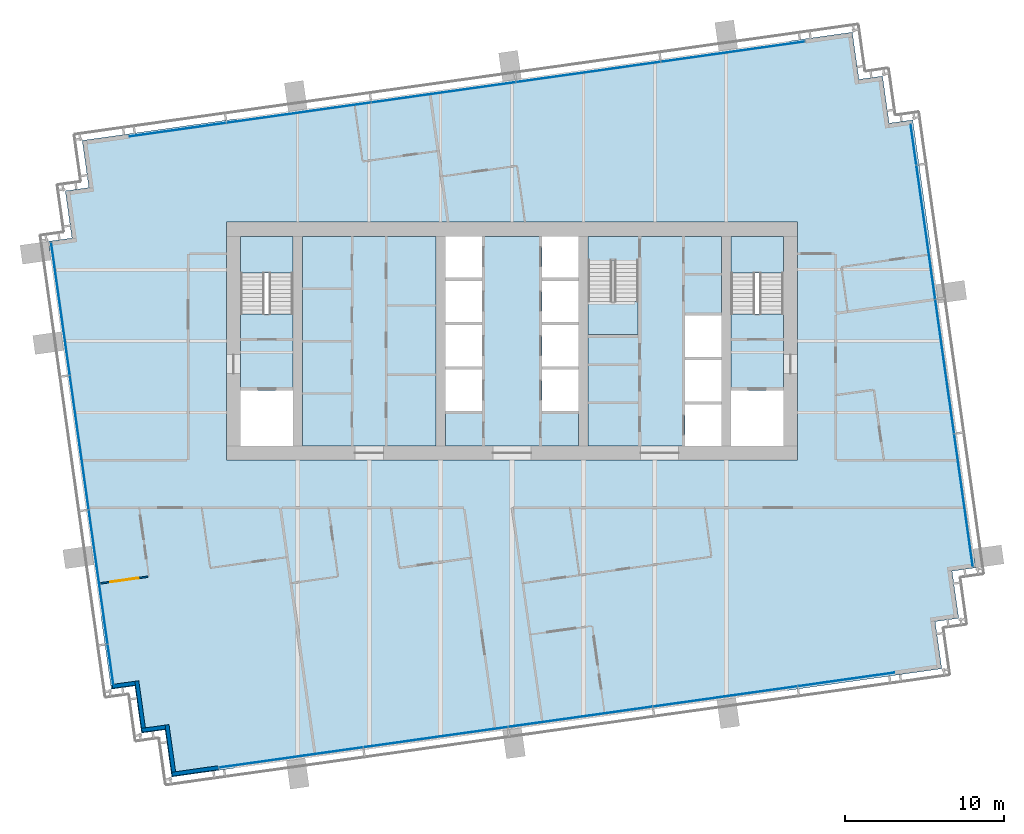
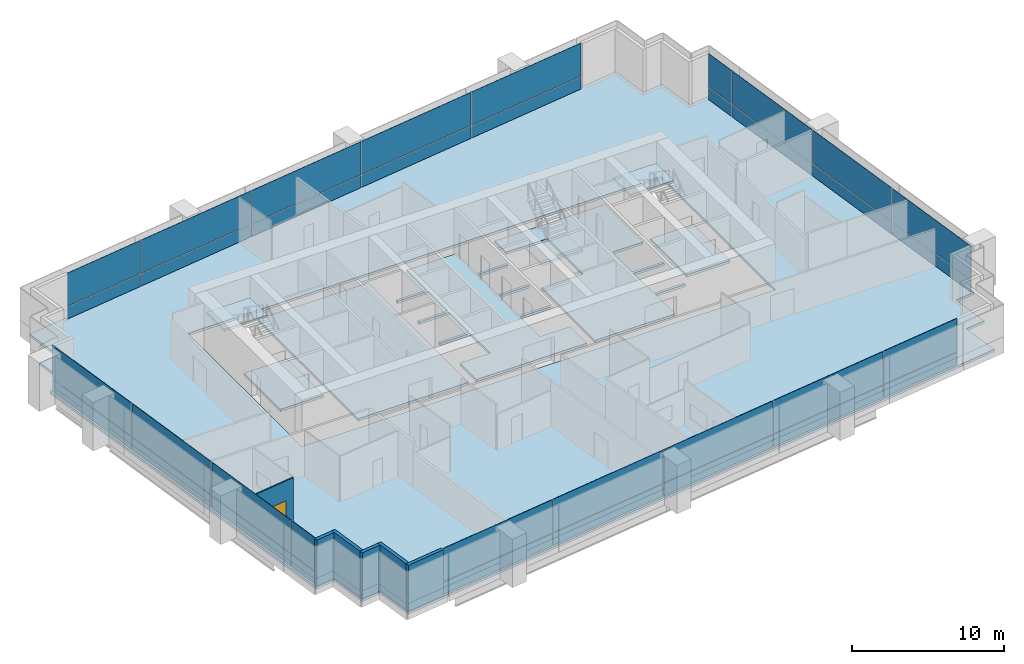
# One storey, part 8 of 18: 36 plates, 9 slabs, 6 walls, 1 window, 1 opening, 7 elements without a shape of their own.
"""IFC4 building model written with IfcOpenShell, lengths in metres."""

from ifc_helpers import new_model, si_unit, direction, frame, frame_2d, origin, origin_2d, place, context, subcontext, project, spatial, polyline, rectangle, outline, extrude, material, layer, layer_set, type_object, element, fill, aggregate, save


model = new_model("IFC4")

# Units and contexts
model_context = context("Model", 3, precision=1e-05, world=origin(), true_north=direction((0.0, 1.0)))
body_context = subcontext(model_context, "Body", "Model", "MODEL_VIEW")
ifc_project = project(units=[si_unit("LENGTHUNIT", "METRE"), si_unit("AREAUNIT", "SQUARE_METRE"), si_unit("VOLUMEUNIT", "CUBIC_METRE"), si_unit("PLANEANGLEUNIT", "RADIAN"), si_unit("MASSUNIT", "GRAM", prefix="KILO")], contexts=[model_context])

# Site, building, storey
site_placement = place(None, origin())
site = spatial("IfcSite", under=ifc_project, at=site_placement, CompositionType="ELEMENT")
building_placement = place(site_placement, origin())
building = spatial("IfcBuilding", under=site, at=building_placement, Name="Rattan Terrace Tower", CompositionType="ELEMENT")
storey_placement = place(building_placement, frame((0.0, 0.0, 176.300048828125)))
storey = spatial("IfcBuildingStorey", under=building, at=storey_placement, Name="L40", CompositionType="ELEMENT", Elevation=176.300048828125)

# Stair, slab
ifc_material_1 = material(Name="Concrete C40/50", Category="concrete")
stair_type = type_object("IfcStairType", Name="Core exit stair 1500", PredefinedType="HALF_TURN_STAIR", material=ifc_material_1)
stair_1_placement = place(storey_placement, origin())
stair_1 = element("IfcStair", 1, at=stair_1_placement, inside=storey, type_object=stair_type, Name="L40 exit stair 1", PredefinedType="HALF_TURN_STAIR")
ifc_material_2 = material(Name="Concrete C40/50", Category="concrete")
ifc_layer_1 = layer(ifc_material_2, 0.199951171875)
ifc_layer_set_1 = layer_set([ifc_layer_1], Name="Core exit stair landing")
slab_type_1 = type_object("IfcSlabType", Name="Core exit stair landing", PredefinedType="LANDING", material=ifc_layer_set_1)
slab_1_placement = place(storey_placement, frame((0.0, 0.0, 1.75)))
slab_1 = element("IfcSlab", 2, at=slab_1_placement, type_object=slab_type_1, Name="S1 landing 1", PredefinedType="LANDING", context=body_context, shape_type="SweptSolid", body=[
    extrude(outline(polyline([(-13.800048828125, 4.300048828125), (-13.800048828125, 6.60009765625), (-17.10009765625, 6.60009765625), (-17.10009765625, 4.300048828125), (-13.800048828125, 4.300048828125)])), origin(), (0.0, 0.0, 1.0), 0.199951171875),
])
aggregate(stair_1, [slab_1])

stair_2_placement = place(storey_placement, origin())
stair_2 = element("IfcStair", 3, at=stair_2_placement, inside=storey, type_object=stair_type, Name="L40 exit stair 2", PredefinedType="HALF_TURN_STAIR")
slab_2_placement = place(storey_placement, frame((0.0, 0.0, 1.75)))
slab_2 = element("IfcSlab", 4, at=slab_2_placement, type_object=slab_type_1, Name="S2 landing 1", PredefinedType="LANDING", context=body_context, shape_type="SweptSolid", body=[
    extrude(outline(polyline([(17.10009765625, 4.300048828125), (17.10009765625, 6.60009765625), (13.800048828125, 6.60009765625), (13.800048828125, 4.300048828125), (17.10009765625, 4.300048828125)])), origin(), (0.0, 0.0, 1.0), 0.199951171875),
])
aggregate(stair_2, [slab_2])

stair_3_placement = place(storey_placement, origin())
stair_3 = element("IfcStair", 5, at=stair_3_placement, inside=storey, type_object=stair_type, Name="L40 exit stair 3", PredefinedType="HALF_TURN_STAIR")
slab_3_placement = place(storey_placement, frame((0.0, 0.0, 1.75)))
slab_3 = element("IfcSlab", 6, at=slab_3_placement, type_object=slab_type_1, Name="S3 landing 1", PredefinedType="LANDING", context=body_context, shape_type="SweptSolid", body=[
    extrude(outline(polyline([(4.800048828125, 2.5), (4.800048828125, 0.39990234375), (7.949951171875, 0.39990234375), (7.949951171875, 2.5), (4.800048828125, 2.5)])), origin(), (0.0, 0.0, 1.0), 0.199951171875),
])
aggregate(stair_3, [slab_3])

# Curtain wall, plates
ifc_material_3 = material(Name="Aluminium and glass", Category="aluminium")
curtain_wall_type = type_object("IfcCurtainWallType", Name="Facade Unitised Curtain Wall", PredefinedType="NOTDEFINED", material=ifc_material_3)
curtain_wall_1_placement = place(storey_placement, origin())
curtain_wall_1 = element("IfcCurtainWall", 7, at=curtain_wall_1_placement, inside=storey, type_object=curtain_wall_type, Name="Curtain wall L40-1", PredefinedType="NOTDEFINED")
ifc_material_4 = material(Name="Aluminium insulated spandrel panel", Category="aluminium")
ifc_layer_2 = layer(ifc_material_4, 0.028076171875)
ifc_layer_set_2 = layer_set([ifc_layer_2], Name="Facade CW Spandrel Panel")
plate_type_1 = type_object("IfcPlateType", Name="Facade CW Spandrel Panel", PredefinedType="CURTAIN_PANEL", material=ifc_layer_set_2)
plate_1_placement = place(storey_placement, frame((28.447509765625, -10.037109375, 0.0), z_axis=(0.0, 0.0, 1.0), x_axis=(-0.139190856006, 0.99026557327, 0.0)))
plate_1 = element("IfcPlate", 8, at=plate_1_placement, type_object=plate_type_1, Name="Panel cwl-L40-001.1.1", PredefinedType="CURTAIN_PANEL", context=body_context, shape_type="SweptSolid", body=[
    extrude(rectangle(XDim=8.4150390625, YDim=0.028076171875, at=origin_2d()), origin(), (0.0, 0.0, 1.0), 0.969970703125),
])
plate_2_placement = place(storey_placement, frame((27.262451171875, -1.607421875, 0.0), z_axis=(0.0, 0.0, 1.0), x_axis=(-0.139190856006, 0.99026557327, 0.0)))
plate_2 = element("IfcPlate", 9, at=plate_2_placement, type_object=plate_type_1, Name="Panel cwl-L40-001.2.1", PredefinedType="CURTAIN_PANEL", context=body_context, shape_type="SweptSolid", body=[
    extrude(rectangle(XDim=8.489990234375, YDim=0.028076171875, at=origin_2d()), origin(), (0.0, 0.0, 1.0), 0.969970703125),
])
plate_3_placement = place(storey_placement, frame((26.072509765625, 6.859375, 0.0), z_axis=(0.0, 0.0, 1.0), x_axis=(-0.139190856006, 0.99026557327, 0.0)))
plate_3 = element("IfcPlate", 10, at=plate_3_placement, type_object=plate_type_1, Name="Panel cwl-L40-001.3.1", PredefinedType="CURTAIN_PANEL", context=body_context, shape_type="SweptSolid", body=[
    extrude(rectangle(XDim=8.489990234375, YDim=0.028076171875, at=origin_2d()), origin(), (0.0, 0.0, 1.0), 0.969970703125),
])
plate_4_placement = place(storey_placement, frame((25.29736328125, 12.372802734375, 0.0), z_axis=(0.0, 0.0, 1.0), x_axis=(-0.139190856006, 0.99026557327, 0.0)))
plate_4 = element("IfcPlate", 11, at=plate_4_placement, type_object=plate_type_1, Name="Panel cwl-L40-001.4.1", PredefinedType="CURTAIN_PANEL", context=body_context, shape_type="SweptSolid", body=[
    extrude(rectangle(XDim=2.525390625, YDim=0.028076171875, at=origin_2d()), origin(), (0.0, 0.0, 1.0), 0.969970703125),
])

curtain_wall_2_placement = place(storey_placement, origin())
curtain_wall_2 = element("IfcCurtainWall", 12, at=curtain_wall_2_placement, inside=storey, type_object=curtain_wall_type, Name="Curtain wall L40-2", PredefinedType="NOTDEFINED")
plate_5_placement = place(storey_placement, frame((13.920166015625, 18.233642578125, 0.0), z_axis=(0.0, 0.0, 1.0), x_axis=(-0.990269702686, -0.139161474347, 0.0)))
plate_5 = element("IfcPlate", 13, at=plate_5_placement, type_object=plate_type_1, Name="Panel cwl-L40-002.1.1", PredefinedType="CURTAIN_PANEL", context=body_context, shape_type="SweptSolid", body=[
    extrude(rectangle(XDim=9.123046875, YDim=0.028076171875, at=origin_2d()), origin(), (0.0, 0.0, 1.0), 0.969970703125),
])
plate_6_placement = place(storey_placement, frame((4.8115234375, 16.95361328125, 0.0), z_axis=(0.0, 0.0, 1.0), x_axis=(-0.990269702686, -0.139161474347, 0.0)))
plate_6 = element("IfcPlate", 14, at=plate_6_placement, type_object=plate_type_1, Name="Panel cwl-L40-002.2.1", PredefinedType="CURTAIN_PANEL", context=body_context, shape_type="SweptSolid", body=[
    extrude(rectangle(XDim=9.153076171875, YDim=0.028076171875, at=origin_2d()), origin(), (0.0, 0.0, 1.0), 0.969970703125),
])
plate_7_placement = place(storey_placement, frame((-4.311767578125, 15.67138671875, 0.0), z_axis=(0.0, 0.0, 1.0), x_axis=(-0.990269702686, -0.139161474347, 0.0)))
plate_7 = element("IfcPlate", 15, at=plate_7_placement, type_object=plate_type_1, Name="Panel cwl-L40-002.3.1", PredefinedType="CURTAIN_PANEL", context=body_context, shape_type="SweptSolid", body=[
    extrude(rectangle(XDim=9.153076171875, YDim=0.028076171875, at=origin_2d()), origin(), (0.0, 0.0, 1.0), 0.969970703125),
])
plate_8_placement = place(storey_placement, frame((-13.43505859375, 14.389404296875, 0.0), z_axis=(0.0, 0.0, 1.0), x_axis=(-0.990269702686, -0.139161474347, 0.0)))
plate_8 = element("IfcPlate", 16, at=plate_8_placement, type_object=plate_type_1, Name="Panel cwl-L40-002.4.1", PredefinedType="CURTAIN_PANEL", context=body_context, shape_type="SweptSolid", body=[
    extrude(rectangle(XDim=9.153076171875, YDim=0.028076171875, at=origin_2d()), origin(), (0.0, 0.0, 1.0), 0.969970703125),
])
plate_9_placement = place(storey_placement, frame((-21.055908203125, 13.318359375, 0.0), z_axis=(0.0, 0.0, 1.0), x_axis=(-0.990269702686, -0.139161474347, 0.0)))
plate_9 = element("IfcPlate", 17, at=plate_9_placement, type_object=plate_type_1, Name="Panel cwl-L40-002.5.1", PredefinedType="CURTAIN_PANEL", context=body_context, shape_type="SweptSolid", body=[
    extrude(rectangle(XDim=6.118408203125, YDim=0.028076171875, at=origin_2d()), origin(), (0.0, 0.0, 1.0), 0.969970703125),
])

curtain_wall_3_placement = place(storey_placement, origin())
curtain_wall_3 = element("IfcCurtainWall", 18, at=curtain_wall_3_placement, inside=storey, type_object=curtain_wall_type, Name="Curtain wall L40-3", PredefinedType="NOTDEFINED")
plate_10_placement = place(storey_placement, frame((-28.447509765625, 2.037109375, 0.0), z_axis=(0.0, 0.0, 1.0), x_axis=(0.139190856006, -0.99026557327, 0.0)))
plate_10 = element("IfcPlate", 19, at=plate_10_placement, type_object=plate_type_1, Name="Panel cwl-L40-003.1.1", PredefinedType="CURTAIN_PANEL", context=body_context, shape_type="SweptSolid", body=[
    extrude(rectangle(XDim=8.4150390625, YDim=0.028076171875, at=origin_2d()), origin(), (0.0, 0.0, 1.0), 0.969970703125),
])
plate_11_placement = place(storey_placement, frame((-27.262451171875, -6.392578125, 0.0), z_axis=(0.0, 0.0, 1.0), x_axis=(0.139190856006, -0.99026557327, 0.0)))
plate_11 = element("IfcPlate", 20, at=plate_11_placement, type_object=plate_type_1, Name="Panel cwl-L40-003.2.1", PredefinedType="CURTAIN_PANEL", context=body_context, shape_type="SweptSolid", body=[
    extrude(rectangle(XDim=8.489990234375, YDim=0.028076171875, at=origin_2d()), origin(), (0.0, 0.0, 1.0), 0.969970703125),
])
plate_12_placement = place(storey_placement, frame((-26.072509765625, -14.859375, 0.0), z_axis=(0.0, 0.0, 1.0), x_axis=(0.139190856006, -0.99026557327, 0.0)))
plate_12 = element("IfcPlate", 21, at=plate_12_placement, type_object=plate_type_1, Name="Panel cwl-L40-003.3.1", PredefinedType="CURTAIN_PANEL", context=body_context, shape_type="SweptSolid", body=[
    extrude(rectangle(XDim=8.489990234375, YDim=0.028076171875, at=origin_2d()), origin(), (0.0, 0.0, 1.0), 0.969970703125),
])
plate_13_placement = place(storey_placement, frame((-25.29736328125, -20.372802734375, 0.0), z_axis=(0.0, 0.0, 1.0), x_axis=(0.139190856006, -0.99026557327, 0.0)))
plate_13 = element("IfcPlate", 22, at=plate_13_placement, type_object=plate_type_1, Name="Panel cwl-L40-003.4.1", PredefinedType="CURTAIN_PANEL", context=body_context, shape_type="SweptSolid", body=[
    extrude(rectangle(XDim=2.525390625, YDim=0.028076171875, at=origin_2d()), origin(), (0.0, 0.0, 1.0), 0.969970703125),
])

curtain_wall_4_placement = place(storey_placement, origin())
curtain_wall_4 = element("IfcCurtainWall", 23, at=curtain_wall_4_placement, inside=storey, type_object=curtain_wall_type, Name="Curtain wall L40-4", PredefinedType="NOTDEFINED")
plate_14_placement = place(storey_placement, frame((-13.920166015625, -26.233642578125, 0.0), z_axis=(0.0, 0.0, 1.0), x_axis=(0.990269702686, 0.139161474347, 0.0)))
plate_14 = element("IfcPlate", 24, at=plate_14_placement, type_object=plate_type_1, Name="Panel cwl-L40-004.1.1", PredefinedType="CURTAIN_PANEL", context=body_context, shape_type="SweptSolid", body=[
    extrude(rectangle(XDim=9.123046875, YDim=0.028076171875, at=origin_2d()), origin(), (0.0, 0.0, 1.0), 0.969970703125),
])
plate_15_placement = place(storey_placement, frame((-4.8115234375, -24.95361328125, 0.0), z_axis=(0.0, 0.0, 1.0), x_axis=(0.990269702686, 0.139161474347, 0.0)))
plate_15 = element("IfcPlate", 25, at=plate_15_placement, type_object=plate_type_1, Name="Panel cwl-L40-004.2.1", PredefinedType="CURTAIN_PANEL", context=body_context, shape_type="SweptSolid", body=[
    extrude(rectangle(XDim=9.153076171875, YDim=0.028076171875, at=origin_2d()), origin(), (0.0, 0.0, 1.0), 0.969970703125),
])
plate_16_placement = place(storey_placement, frame((4.311767578125, -23.67138671875, 0.0), z_axis=(0.0, 0.0, 1.0), x_axis=(0.990269702686, 0.139161474347, 0.0)))
plate_16 = element("IfcPlate", 26, at=plate_16_placement, type_object=plate_type_1, Name="Panel cwl-L40-004.3.1", PredefinedType="CURTAIN_PANEL", context=body_context, shape_type="SweptSolid", body=[
    extrude(rectangle(XDim=9.153076171875, YDim=0.028076171875, at=origin_2d()), origin(), (0.0, 0.0, 1.0), 0.969970703125),
])
plate_17_placement = place(storey_placement, frame((13.43505859375, -22.389404296875, 0.0), z_axis=(0.0, 0.0, 1.0), x_axis=(0.990269702686, 0.139161474347, 0.0)))
plate_17 = element("IfcPlate", 27, at=plate_17_placement, type_object=plate_type_1, Name="Panel cwl-L40-004.4.1", PredefinedType="CURTAIN_PANEL", context=body_context, shape_type="SweptSolid", body=[
    extrude(rectangle(XDim=9.153076171875, YDim=0.028076171875, at=origin_2d()), origin(), (0.0, 0.0, 1.0), 0.969970703125),
])
plate_18_placement = place(storey_placement, frame((21.055908203125, -21.318359375, 0.0), z_axis=(0.0, 0.0, 1.0), x_axis=(0.990269702686, 0.139161474347, 0.0)))
plate_18 = element("IfcPlate", 28, at=plate_18_placement, type_object=plate_type_1, Name="Panel cwl-L40-004.5.1", PredefinedType="CURTAIN_PANEL", context=body_context, shape_type="SweptSolid", body=[
    extrude(rectangle(XDim=6.118408203125, YDim=0.028076171875, at=origin_2d()), origin(), (0.0, 0.0, 1.0), 0.969970703125),
])

# Plate
ifc_material_5 = material(Name="Clear low-iron glass", Category="glass")
ifc_layer_3 = layer(ifc_material_5, 0.028076171875)
ifc_layer_set_3 = layer_set([ifc_layer_3], Name="Facade CW Vision Panel")
plate_type_2 = type_object("IfcPlateType", Name="Facade CW Vision Panel", PredefinedType="CURTAIN_PANEL", material=ifc_layer_set_3)
plate_19_placement = place(storey_placement, frame((28.447509765625, -10.037109375, 1.030029296875), z_axis=(0.0, 0.0, 1.0), x_axis=(-0.139190856006, 0.99026557327, 0.0)))
plate_19 = element("IfcPlate", 29, at=plate_19_placement, type_object=plate_type_2, Name="Panel cwl-L40-001.1.2", PredefinedType="CURTAIN_PANEL", context=body_context, shape_type="SweptSolid", body=[
    extrude(rectangle(XDim=8.4150390625, YDim=0.028076171875, at=origin_2d()), origin(), (0.0, 0.0, 1.0), 2.669921875),
])

plate_20_placement = place(storey_placement, frame((27.262451171875, -1.607421875, 1.030029296875), z_axis=(0.0, 0.0, 1.0), x_axis=(-0.139190856006, 0.99026557327, 0.0)))
plate_20 = element("IfcPlate", 30, at=plate_20_placement, type_object=plate_type_2, Name="Panel cwl-L40-001.2.2", PredefinedType="CURTAIN_PANEL", context=body_context, shape_type="SweptSolid", body=[
    extrude(rectangle(XDim=8.489990234375, YDim=0.028076171875, at=origin_2d()), origin(), (0.0, 0.0, 1.0), 2.669921875),
])

plate_21_placement = place(storey_placement, frame((26.072509765625, 6.859375, 1.030029296875), z_axis=(0.0, 0.0, 1.0), x_axis=(-0.139190856006, 0.99026557327, 0.0)))
plate_21 = element("IfcPlate", 31, at=plate_21_placement, type_object=plate_type_2, Name="Panel cwl-L40-001.3.2", PredefinedType="CURTAIN_PANEL", context=body_context, shape_type="SweptSolid", body=[
    extrude(rectangle(XDim=8.489990234375, YDim=0.028076171875, at=origin_2d()), origin(), (0.0, 0.0, 1.0), 2.669921875),
])

plate_22_placement = place(storey_placement, frame((25.29736328125, 12.372802734375, 1.030029296875), z_axis=(0.0, 0.0, 1.0), x_axis=(-0.139190856006, 0.99026557327, 0.0)))
plate_22 = element("IfcPlate", 32, at=plate_22_placement, type_object=plate_type_2, Name="Panel cwl-L40-001.4.2", PredefinedType="CURTAIN_PANEL", context=body_context, shape_type="SweptSolid", body=[
    extrude(rectangle(XDim=2.525390625, YDim=0.028076171875, at=origin_2d()), origin(), (0.0, 0.0, 1.0), 2.669921875),
])

aggregate(curtain_wall_1, [plate_1, plate_19, plate_2, plate_20, plate_3, plate_21, plate_4, plate_22])

plate_23_placement = place(storey_placement, frame((13.920166015625, 18.233642578125, 1.030029296875), z_axis=(0.0, 0.0, 1.0), x_axis=(-0.990269702686, -0.139161474347, 0.0)))
plate_23 = element("IfcPlate", 33, at=plate_23_placement, type_object=plate_type_2, Name="Panel cwl-L40-002.1.2", PredefinedType="CURTAIN_PANEL", context=body_context, shape_type="SweptSolid", body=[
    extrude(rectangle(XDim=9.123046875, YDim=0.028076171875, at=origin_2d()), origin(), (0.0, 0.0, 1.0), 2.669921875),
])

plate_24_placement = place(storey_placement, frame((4.8115234375, 16.95361328125, 1.030029296875), z_axis=(0.0, 0.0, 1.0), x_axis=(-0.990269702686, -0.139161474347, 0.0)))
plate_24 = element("IfcPlate", 34, at=plate_24_placement, type_object=plate_type_2, Name="Panel cwl-L40-002.2.2", PredefinedType="CURTAIN_PANEL", context=body_context, shape_type="SweptSolid", body=[
    extrude(rectangle(XDim=9.153076171875, YDim=0.028076171875, at=origin_2d()), origin(), (0.0, 0.0, 1.0), 2.669921875),
])

plate_25_placement = place(storey_placement, frame((-4.311767578125, 15.67138671875, 1.030029296875), z_axis=(0.0, 0.0, 1.0), x_axis=(-0.990269702686, -0.139161474347, 0.0)))
plate_25 = element("IfcPlate", 35, at=plate_25_placement, type_object=plate_type_2, Name="Panel cwl-L40-002.3.2", PredefinedType="CURTAIN_PANEL", context=body_context, shape_type="SweptSolid", body=[
    extrude(rectangle(XDim=9.153076171875, YDim=0.028076171875, at=origin_2d()), origin(), (0.0, 0.0, 1.0), 2.669921875),
])

plate_26_placement = place(storey_placement, frame((-13.43505859375, 14.389404296875, 1.030029296875), z_axis=(0.0, 0.0, 1.0), x_axis=(-0.990269702686, -0.139161474347, 0.0)))
plate_26 = element("IfcPlate", 36, at=plate_26_placement, type_object=plate_type_2, Name="Panel cwl-L40-002.4.2", PredefinedType="CURTAIN_PANEL", context=body_context, shape_type="SweptSolid", body=[
    extrude(rectangle(XDim=9.153076171875, YDim=0.028076171875, at=origin_2d()), origin(), (0.0, 0.0, 1.0), 2.669921875),
])

plate_27_placement = place(storey_placement, frame((-21.055908203125, 13.318359375, 1.030029296875), z_axis=(0.0, 0.0, 1.0), x_axis=(-0.990269702686, -0.139161474347, 0.0)))
plate_27 = element("IfcPlate", 37, at=plate_27_placement, type_object=plate_type_2, Name="Panel cwl-L40-002.5.2", PredefinedType="CURTAIN_PANEL", context=body_context, shape_type="SweptSolid", body=[
    extrude(rectangle(XDim=6.118408203125, YDim=0.028076171875, at=origin_2d()), origin(), (0.0, 0.0, 1.0), 2.669921875),
])

aggregate(curtain_wall_2, [plate_5, plate_23, plate_6, plate_24, plate_7, plate_25, plate_8, plate_26, plate_9, plate_27])

plate_28_placement = place(storey_placement, frame((-28.447509765625, 2.037109375, 1.030029296875), z_axis=(0.0, 0.0, 1.0), x_axis=(0.139190856006, -0.99026557327, 0.0)))
plate_28 = element("IfcPlate", 38, at=plate_28_placement, type_object=plate_type_2, Name="Panel cwl-L40-003.1.2", PredefinedType="CURTAIN_PANEL", context=body_context, shape_type="SweptSolid", body=[
    extrude(rectangle(XDim=8.4150390625, YDim=0.028076171875, at=origin_2d()), origin(), (0.0, 0.0, 1.0), 2.669921875),
])

plate_29_placement = place(storey_placement, frame((-27.262451171875, -6.392578125, 1.030029296875), z_axis=(0.0, 0.0, 1.0), x_axis=(0.139190856006, -0.99026557327, 0.0)))
plate_29 = element("IfcPlate", 39, at=plate_29_placement, type_object=plate_type_2, Name="Panel cwl-L40-003.2.2", PredefinedType="CURTAIN_PANEL", context=body_context, shape_type="SweptSolid", body=[
    extrude(rectangle(XDim=8.489990234375, YDim=0.028076171875, at=origin_2d()), origin(), (0.0, 0.0, 1.0), 2.669921875),
])

plate_30_placement = place(storey_placement, frame((-26.072509765625, -14.859375, 1.030029296875), z_axis=(0.0, 0.0, 1.0), x_axis=(0.139190856006, -0.99026557327, 0.0)))
plate_30 = element("IfcPlate", 40, at=plate_30_placement, type_object=plate_type_2, Name="Panel cwl-L40-003.3.2", PredefinedType="CURTAIN_PANEL", context=body_context, shape_type="SweptSolid", body=[
    extrude(rectangle(XDim=8.489990234375, YDim=0.028076171875, at=origin_2d()), origin(), (0.0, 0.0, 1.0), 2.669921875),
])

plate_31_placement = place(storey_placement, frame((-25.29736328125, -20.372802734375, 1.030029296875), z_axis=(0.0, 0.0, 1.0), x_axis=(0.139190856006, -0.99026557327, 0.0)))
plate_31 = element("IfcPlate", 41, at=plate_31_placement, type_object=plate_type_2, Name="Panel cwl-L40-003.4.2", PredefinedType="CURTAIN_PANEL", context=body_context, shape_type="SweptSolid", body=[
    extrude(rectangle(XDim=2.525390625, YDim=0.028076171875, at=origin_2d()), origin(), (0.0, 0.0, 1.0), 2.669921875),
])

aggregate(curtain_wall_3, [plate_10, plate_28, plate_11, plate_29, plate_12, plate_30, plate_13, plate_31])

plate_32_placement = place(storey_placement, frame((-13.920166015625, -26.233642578125, 1.030029296875), z_axis=(0.0, 0.0, 1.0), x_axis=(0.990269702686, 0.139161474347, 0.0)))
plate_32 = element("IfcPlate", 42, at=plate_32_placement, type_object=plate_type_2, Name="Panel cwl-L40-004.1.2", PredefinedType="CURTAIN_PANEL", context=body_context, shape_type="SweptSolid", body=[
    extrude(rectangle(XDim=9.123046875, YDim=0.028076171875, at=origin_2d()), origin(), (0.0, 0.0, 1.0), 2.669921875),
])

plate_33_placement = place(storey_placement, frame((-4.8115234375, -24.95361328125, 1.030029296875), z_axis=(0.0, 0.0, 1.0), x_axis=(0.990269702686, 0.139161474347, 0.0)))
plate_33 = element("IfcPlate", 43, at=plate_33_placement, type_object=plate_type_2, Name="Panel cwl-L40-004.2.2", PredefinedType="CURTAIN_PANEL", context=body_context, shape_type="SweptSolid", body=[
    extrude(rectangle(XDim=9.153076171875, YDim=0.028076171875, at=origin_2d()), origin(), (0.0, 0.0, 1.0), 2.669921875),
])

plate_34_placement = place(storey_placement, frame((4.311767578125, -23.67138671875, 1.030029296875), z_axis=(0.0, 0.0, 1.0), x_axis=(0.990269702686, 0.139161474347, 0.0)))
plate_34 = element("IfcPlate", 44, at=plate_34_placement, type_object=plate_type_2, Name="Panel cwl-L40-004.3.2", PredefinedType="CURTAIN_PANEL", context=body_context, shape_type="SweptSolid", body=[
    extrude(rectangle(XDim=9.153076171875, YDim=0.028076171875, at=origin_2d()), origin(), (0.0, 0.0, 1.0), 2.669921875),
])

plate_35_placement = place(storey_placement, frame((13.43505859375, -22.389404296875, 1.030029296875), z_axis=(0.0, 0.0, 1.0), x_axis=(0.990269702686, 0.139161474347, 0.0)))
plate_35 = element("IfcPlate", 45, at=plate_35_placement, type_object=plate_type_2, Name="Panel cwl-L40-004.4.2", PredefinedType="CURTAIN_PANEL", context=body_context, shape_type="SweptSolid", body=[
    extrude(rectangle(XDim=9.153076171875, YDim=0.028076171875, at=origin_2d()), origin(), (0.0, 0.0, 1.0), 2.669921875),
])

plate_36_placement = place(storey_placement, frame((21.055908203125, -21.318359375, 1.030029296875), z_axis=(0.0, 0.0, 1.0), x_axis=(0.990269702686, 0.139161474347, 0.0)))
plate_36 = element("IfcPlate", 46, at=plate_36_placement, type_object=plate_type_2, Name="Panel cwl-L40-004.5.2", PredefinedType="CURTAIN_PANEL", context=body_context, shape_type="SweptSolid", body=[
    extrude(rectangle(XDim=6.118408203125, YDim=0.028076171875, at=origin_2d()), origin(), (0.0, 0.0, 1.0), 2.669921875),
])

aggregate(curtain_wall_4, [plate_14, plate_32, plate_15, plate_33, plate_16, plate_34, plate_17, plate_35, plate_18, plate_36])

# Slabs
ifc_material_6 = material(Name="Concrete C35/45", Category="concrete")
ifc_layer_4 = layer(ifc_material_6, 0.199951171875)
ifc_layer_set_4 = layer_set([ifc_layer_4], Name="Frame composite floor slab 200")
slab_type_2 = type_object("IfcSlabType", Name="Frame composite floor slab 200", PredefinedType="FLOOR", material=ifc_layer_set_4)
slab_4_placement = place(storey_placement, frame((0.0, 0.0, -0.199951171875)))
element("IfcSlab", 47, at=slab_4_placement, inside=storey, type_object=slab_type_2, Name="Floor slab", PredefinedType="FLOOR", context=body_context, shape_type="SweptSolid", body=[
    extrude(outline(polyline([(-18.472900390625, -27.044921875), (24.10888671875, -21.06103515625), (27.080078125, -20.64306640625), (26.662109375, -17.672119140625), (28.14794921875, -17.464111328125), (27.72998046875, -14.492919921875), (29.216064453125, -14.283935546875), (25.2490234375, 13.93896484375), (23.763916015625, 13.72998046875), (23.345947265625, 16.700927734375), (21.861083984375, 16.491943359375), (21.443115234375, 19.462890625), (18.472900390625, 19.044921875), (-24.10888671875, 13.06103515625), (-27.080078125, 12.64306640625), (-26.662109375, 9.672119140625), (-28.14794921875, 9.464111328125), (-27.72998046875, 6.492919921875), (-29.216064453125, 6.283935546875), (-25.2490234375, -21.93896484375), (-23.763916015625, -21.72998046875), (-23.345947265625, -24.700927734375), (-21.861083984375, -24.491943359375), (-21.443115234375, -27.462890625), (-18.472900390625, -27.044921875)]), holes=[polyline([(-18.0, -7.5), (18.0, -7.5), (18.0, -6.60009765625), (18.0, 6.60009765625), (18.0, 7.5), (-18.0, 7.5), (-18.0, 6.60009765625), (-18.0, -6.60009765625), (-18.0, -7.5)])]), origin(), (0.0, 0.0, 1.0), 0.199951171875),
])
slab_5_placement = place(storey_placement, frame((0.0, 0.0, -0.199951171875)))
element("IfcSlab", 48, at=slab_5_placement, inside=storey, type_object=slab_type_2, Name="Floor slab", PredefinedType="FLOOR", context=body_context, shape_type="SweptSolid", body=[
    extrude(outline(polyline([(13.199951171875, 6.60009765625), (4.800048828125, 6.60009765625), (4.800048828125, 5.090087890625), (7.949951171875, 5.090087890625), (7.949951171875, 0.39990234375), (4.800048828125, 0.39990234375), (4.800048828125, -6.60009765625), (10.89990234375, -6.60009765625), (10.89990234375, -4.0), (13.199951171875, -4.0), (13.199951171875, -3.800048828125), (10.89990234375, -3.800048828125), (10.89990234375, -1.199951171875), (13.199951171875, -1.199951171875), (13.199951171875, -1.0), (10.89990234375, -1.0), (10.89990234375, 1.60009765625), (13.199951171875, 1.60009765625), (13.199951171875, 6.60009765625)])), origin(), (0.0, 0.0, 1.0), 0.199951171875),
])
slab_6_placement = place(storey_placement, frame((0.0, 0.0, -0.199951171875)))
element("IfcSlab", 49, at=slab_6_placement, inside=storey, type_object=slab_type_2, Name="Floor slab", PredefinedType="FLOOR", context=body_context, shape_type="SweptSolid", body=[
    extrude(outline(polyline([(1.89990234375, 6.60009765625), (-1.89990234375, 6.60009765625), (-1.89990234375, 4.0), (-4.199951171875, 4.0), (-4.199951171875, 3.800048828125), (-1.89990234375, 3.800048828125), (-1.89990234375, 1.199951171875), (-4.199951171875, 1.199951171875), (-4.199951171875, 1.0), (-1.89990234375, 1.0), (-1.89990234375, -1.60009765625), (-4.199951171875, -1.60009765625), (-4.199951171875, -1.800048828125), (-1.89990234375, -1.800048828125), (-1.89990234375, -4.39990234375), (-4.199951171875, -4.39990234375), (-4.199951171875, -6.60009765625), (4.199951171875, -6.60009765625), (4.199951171875, -4.39990234375), (1.89990234375, -4.39990234375), (1.89990234375, -1.800048828125), (4.199951171875, -1.800048828125), (4.199951171875, -1.60009765625), (1.89990234375, -1.60009765625), (1.89990234375, 1.0), (4.199951171875, 1.0), (4.199951171875, 1.199951171875), (1.89990234375, 1.199951171875), (1.89990234375, 3.800048828125), (4.199951171875, 3.800048828125), (4.199951171875, 4.0), (1.89990234375, 4.0), (1.89990234375, 6.60009765625)])), origin(), (0.0, 0.0, 1.0), 0.199951171875),
])
slab_7_placement = place(storey_placement, frame((0.0, 0.0, -0.199951171875)))
element("IfcSlab", 50, at=slab_7_placement, inside=storey, type_object=slab_type_2, Name="Floor slab", PredefinedType="FLOOR", context=body_context, shape_type="SweptSolid", body=[
    extrude(outline(polyline([(-17.10009765625, -3.10009765625), (-13.800048828125, -3.10009765625), (-13.800048828125, 1.7099609375), (-17.10009765625, 1.7099609375), (-17.10009765625, -3.10009765625)])), origin(), (0.0, 0.0, 1.0), 0.199951171875),
])
slab_8_placement = place(storey_placement, frame((0.0, 0.0, -0.199951171875)))
element("IfcSlab", 51, at=slab_8_placement, inside=storey, type_object=slab_type_2, Name="Floor slab", PredefinedType="FLOOR", context=body_context, shape_type="SweptSolid", body=[
    extrude(outline(polyline([(-4.800048828125, -6.60009765625), (-4.800048828125, 6.60009765625), (-13.199951171875, 6.60009765625), (-13.199951171875, -6.60009765625), (-4.800048828125, -6.60009765625)])), origin(), (0.0, 0.0, 1.0), 0.199951171875),
])
slab_9_placement = place(storey_placement, frame((0.0, 0.0, -0.199951171875)))
element("IfcSlab", 52, at=slab_9_placement, inside=storey, type_object=slab_type_2, Name="Floor slab", PredefinedType="FLOOR", context=body_context, shape_type="SweptSolid", body=[
    extrude(outline(polyline([(13.800048828125, -3.10009765625), (17.10009765625, -3.10009765625), (17.10009765625, 1.7099609375), (13.800048828125, 1.7099609375), (13.800048828125, -3.10009765625)])), origin(), (0.0, 0.0, 1.0), 0.199951171875),
])

# Walls
ifc_material_7 = material(Name="Insulated aluminium-clad stud wall", Category="aluminium")
ifc_layer_5 = layer(ifc_material_7, 0.25)
ifc_layer_set_5 = layer_set([ifc_layer_5], Name="Facade Riser Wall 250")
wall_type_1 = type_object("IfcWallType", Name="Facade Riser Wall 250", PredefinedType="SOLIDWALL", material=ifc_layer_set_5)
wall_1_placement = place(storey_placement, frame((-25.18359375, -21.758056640625, 0.0), z_axis=(0.0, 0.0, 1.0), x_axis=(0.9902493448, 0.13930626376, 0.0)))
element("IfcWall", 53, at=wall_1_placement, inside=storey, type_object=wall_type_1, Name="Riser wall L40-16", PredefinedType="SOLIDWALL", context=body_context, shape_type="SweptSolid", body=[
    extrude(rectangle(XDim=1.45458984375, YDim=0.25, at=frame_2d((0.727294921875, 0.0))), origin(), (0.0, 0.0, 1.0), 3.699951171875),
])
wall_2_placement = place(storey_placement, frame((-23.63671875, -21.414306640625, 0.0), z_axis=(0.0, 0.0, 1.0), x_axis=(0.139313431826, -0.990248336385, 0.0)))
element("IfcWall", 54, at=wall_2_placement, inside=storey, type_object=wall_type_1, Name="Riser wall L40-17", PredefinedType="SOLIDWALL", context=body_context, shape_type="SweptSolid", body=[
    extrude(rectangle(XDim=3.000244140625, YDim=0.25, at=frame_2d((1.5, 0.0))), origin(), (0.0, 0.0, 1.0), 3.699951171875),
])
wall_3_placement = place(storey_placement, frame((-23.3251953125, -24.5263671875, 0.0), z_axis=(0.0, 0.0, 1.0), x_axis=(0.990243596651, 0.13934711799, 0.0)))
element("IfcWall", 55, at=wall_3_placement, inside=storey, type_object=wall_type_1, Name="Riser wall L40-18", PredefinedType="SOLIDWALL", context=body_context, shape_type="SweptSolid", body=[
    extrude(rectangle(XDim=1.499755859375, YDim=0.25, at=frame_2d((0.75, 0.0))), origin(), (0.0, 0.0, 1.0), 3.699951171875),
])
wall_4_placement = place(storey_placement, frame((-21.733642578125, -24.17626953125, 0.0), z_axis=(0.0, 0.0, 1.0), x_axis=(0.139313431826, -0.990248336385, 0.0)))
element("IfcWall", 56, at=wall_4_placement, inside=storey, type_object=wall_type_1, Name="Riser wall L40-19", PredefinedType="SOLIDWALL", context=body_context, shape_type="SweptSolid", body=[
    extrude(rectangle(XDim=3.000244140625, YDim=0.25, at=frame_2d((1.5, 0.0))), origin(), (0.0, 0.0, 1.0), 3.699951171875),
])
wall_5_placement = place(storey_placement, frame((-21.422119140625, -27.288330078125, 0.0), z_axis=(0.0, 0.0, 1.0), x_axis=(0.990246427036, 0.139327002919, 0.0)))
element("IfcWall", 57, at=wall_5_placement, inside=storey, type_object=wall_type_1, Name="Riser wall L40-20", PredefinedType="SOLIDWALL", context=body_context, shape_type="SweptSolid", body=[
    extrude(rectangle(XDim=2.954345703125, YDim=0.25, at=frame_2d((1.47705078125, 0.0))), origin(), (0.0, 0.0, 1.0), 3.699951171875),
])

# Wall, opening, window
ifc_material_8 = material(Name="Gypsum board partition on steel studs", Category="steel")
ifc_layer_6 = layer(ifc_material_8, 0.10009765625)
ifc_layer_set_6 = layer_set([ifc_layer_6], Name="Floors Partition 100")
wall_type_2 = type_object("IfcWallType", Name="Floors Partition 100", PredefinedType="PARTITIONING", material=ifc_layer_set_6)
wall_6_placement = place(storey_placement, frame((-25.925048828125, -15.263916015625, 0.0), z_axis=(0.0, 0.0, 1.0), x_axis=(0.990300981683, 0.138938711948, 0.0)))
wall_6 = element("IfcWall", 58, at=wall_6_placement, inside=storey, type_object=wall_type_2, Name="pt-L40-024", PredefinedType="PARTITIONING", context=body_context, shape_type="SweptSolid", body=[
    extrude(rectangle(XDim=3.029296875, YDim=0.10009765625, at=frame_2d((1.5146484375, 0.0))), origin(), (0.0, 0.0, 1.0), 3.699951171875),
])
opening_placement = place(wall_6_placement, frame((0.614990234375, 0.0, 0.89990234375)))
opening = element("IfcOpeningElement", 59, at=opening_placement, cuts=wall_6, Name="Opening L40-W100", PredefinedType="OPENING", context=body_context, shape_type="SweptSolid", body=[
    extrude(rectangle(XDim=1.800048828125, YDim=1.199951171875, at=frame_2d((0.89990234375, 0.60009765625))), frame((0.0, 0.060546875, 0.0), z_axis=(0.0, -1.0, 0.0), x_axis=(1.0, 0.0, 0.0)), (0.0, 0.0, 1.0), 0.12109375),
])
ifc_material_9 = material(Name="Glass, clear, fixed in aluminium frame", Category="aluminium")
window_type = type_object("IfcWindowType", Name="Interior Vision Window 1800x1200", PartitioningType="SINGLE_PANEL", PredefinedType="WINDOW", material=ifc_material_9)
window_placement = place(opening_placement, origin())
window = element("IfcWindow", 60, at=window_placement, inside=storey, type_object=window_type, Name="w-L40-100", OverallHeight=1.199951171875, OverallWidth=1.800048828125, PartitioningType="SINGLE_PANEL", PredefinedType="WINDOW", context=body_context, shape_type="SweptSolid", body=[
    extrude(rectangle(XDim=1.800048828125, YDim=1.199951171875, at=frame_2d((0.89990234375, 0.60009765625))), frame((0.0, 0.030029296875, 0.0), z_axis=(0.0, -1.0, 0.0), x_axis=(1.0, 0.0, 0.0)), (0.0, 0.0, 1.0), 0.06005859375),
])
fill(opening, window)

save(model, "model.ifc")
